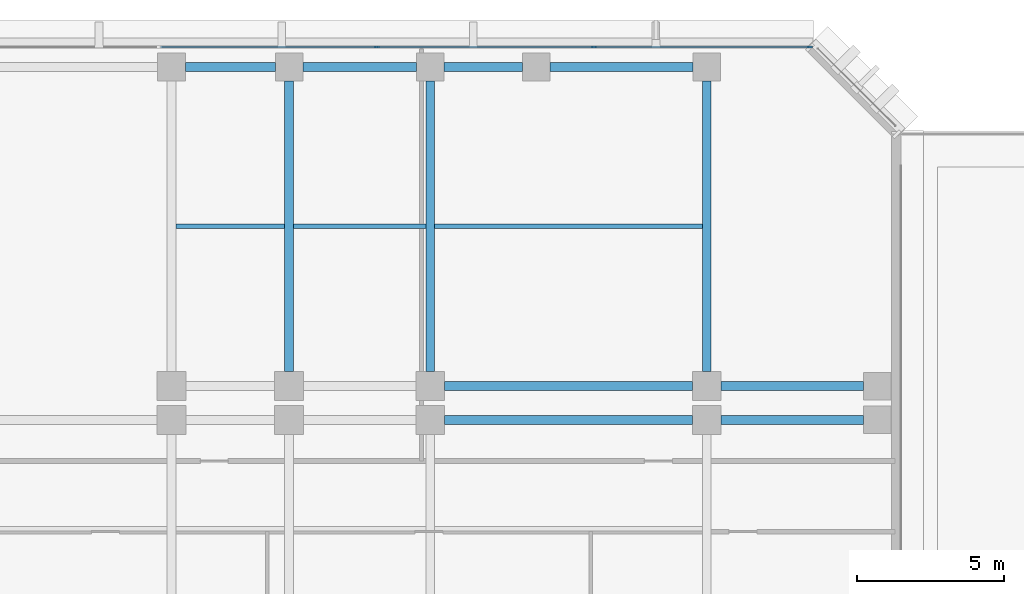
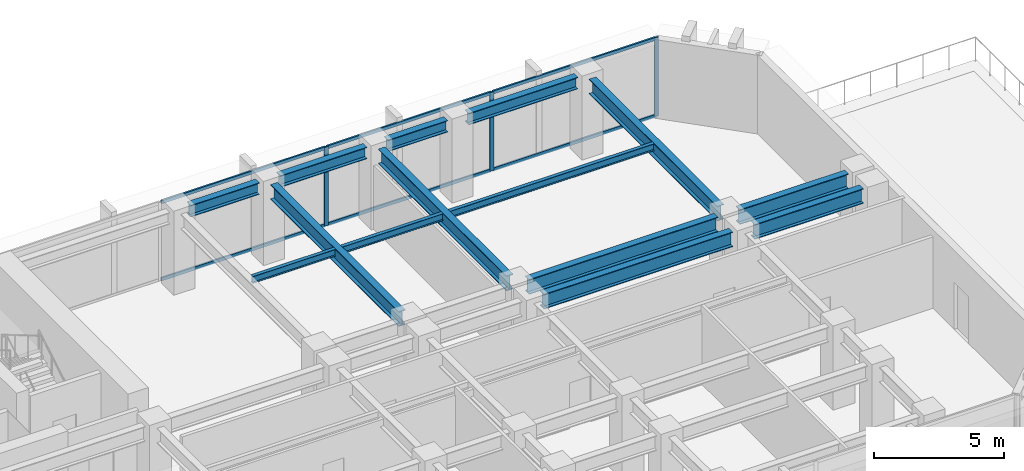
# One storey, part 5 of 13: 14 beams, 9 members, 1 element without a shape of its own.
"""IFC4 building model written with IfcOpenShell, lengths in metres."""

import ifcopenshell
import ifcopenshell.guid

model = None  # the IFC model being written
_history = None  # IfcOwnerHistory: only IFC2X3 demands one
_inside = {}  # id of a spatial element -> (the spatial element, [elements in it])
_under = {}  # id of a project, library or spatial element -> (it, [spatial elements below it])
_declared = {}  # id of a project -> (the project, [libraries it declares])
_typed = {}  # id of a type object -> (the type object, [elements of that type])
_made_of = {}  # id of a material, layer set ... -> (it, [elements and type objects made of it])


def new_model(schema):
    """Start an empty IFC model of exactly this schema.

    Asked for "IFC4X3", IfcOpenShell would pick the latest addendum, in which some entities
    have other attributes; the version numbers below select the first issue.
    IFC2X3 requires an IfcOwnerHistory on every rooted entity: one is made here for all.
    """
    global model, _history
    if schema == "IFC4X3":
        model = ifcopenshell.file(schema_version=(4, 3, 0, 0))
    else:
        model = ifcopenshell.file(schema=schema)
    _inside.clear()
    _under.clear()
    _declared.clear()
    _typed.clear()
    _made_of.clear()
    _history = None
    if model.schema == "IFC2X3":
        org = make("IfcOrganization", Name="unknown")
        user = make(
            "IfcPersonAndOrganization",
            ThePerson=make("IfcPerson", FamilyName="unknown"),
            TheOrganization=org,
        )
        app = make(
            "IfcApplication",
            ApplicationDeveloper=org,
            Version="unknown",
            ApplicationFullName="unknown",
            ApplicationIdentifier="unknown",
        )
        _history = make(
            "IfcOwnerHistory",
            OwningUser=user,
            OwningApplication=app,
            ChangeAction="ADDED",
            CreationDate=0,
        )
    return model


def make(cls, **values):
    """One entity of the class cls with the attributes given. An attribute that is None is left unset."""
    return model.create_entity(
        cls, **{name: value for name, value in values.items() if value is not None}
    )


def rooted(cls, **values):
    """An entity with a GlobalId (a new one), such as an element, a storey or a relation."""
    return make(cls, GlobalId=ifcopenshell.guid.new(), OwnerHistory=_history, **values)


def si_unit(unit_type, name, prefix=None):
    """IfcSIUnit, for example si_unit("LENGTHUNIT", "METRE", prefix="MILLI")."""
    return make("IfcSIUnit", UnitType=unit_type, Prefix=prefix, Name=name)


def assignment(units):
    """IfcUnitAssignment: the units of a project."""
    return None if units is None else make("IfcUnitAssignment", Units=units)


def point(xyz):
    """IfcCartesianPoint."""
    return None if xyz is None else make("IfcCartesianPoint", Coordinates=xyz)


def direction(xyz):
    """IfcDirection."""
    return None if xyz is None else make("IfcDirection", DirectionRatios=xyz)


def frame(location, z_axis=None, x_axis=None):
    """IfcAxis2Placement3D, a coordinate frame: its origin and axes. An axis left out is left unset."""
    return make(
        "IfcAxis2Placement3D",
        Location=point(location),
        Axis=direction(z_axis),
        RefDirection=direction(x_axis),
    )


def frame_2d(location, x_axis=None):
    """IfcAxis2Placement2D, a coordinate frame in the plane: its origin and x axis."""
    return make(
        "IfcAxis2Placement2D", Location=point(location), RefDirection=direction(x_axis)
    )


def origin():
    """The frame at (0, 0, 0) with its axes left unset."""
    return frame((0.0, 0.0, 0.0))


def origin_2d():
    """The frame at (0, 0) in the plane with its x axis left unset."""
    return frame_2d((0.0, 0.0))


def place(relative_to, where):
    """IfcLocalPlacement: puts the frame where relative to a parent placement (None: the world)."""
    return make(
        "IfcLocalPlacement", PlacementRelTo=relative_to, RelativePlacement=where
    )


def context(
    kind, dimensions, precision=None, world=None, true_north=None, identifier=None
):
    """IfcGeometricRepresentationContext, for example the 3D "Model" context."""
    return make(
        "IfcGeometricRepresentationContext",
        ContextIdentifier=identifier,
        ContextType=kind,
        CoordinateSpaceDimension=dimensions,
        Precision=precision,
        WorldCoordinateSystem=world,
        TrueNorth=true_north,
    )


def subcontext(parent, identifier, kind, view, scale=None):
    """IfcGeometricRepresentationSubContext, for example "Body" below "Model"."""
    return make(
        "IfcGeometricRepresentationSubContext",
        ContextIdentifier=identifier,
        ContextType=kind,
        ParentContext=parent,
        TargetScale=scale,
        TargetView=view,
    )


def project(units=None, contexts=None):
    """IfcProject with its units and contexts."""
    return rooted(
        "IfcProject",
        Name="project",
        RepresentationContexts=contexts,
        UnitsInContext=assignment(units),
    )


def spatial(cls, under=None, at=None, **own):
    """A site, building, storey or space (cls), placed at a placement, below another one or the project."""
    s = rooted(cls, ObjectPlacement=at, **own)
    if under is not None:
        _under.setdefault(under.id(), (under, []))[1].append(s)
    return s


def profile(cls, at=None, kind="AREA", **sizes):
    """A parametric profile (cls). Its sizes go by their IFC names, for example OverallWidth=200.0."""
    return make(cls, ProfileType=kind, Position=at, **sizes)


def rectangle(**sizes):
    """IfcRectangleProfileDef."""
    return profile("IfcRectangleProfileDef", **sizes)


def i_section(**sizes):
    """IfcIShapeProfileDef."""
    return profile("IfcIShapeProfileDef", **sizes)


def extrude(swept, where, along, depth):
    """IfcExtrudedAreaSolid: the profile swept, set in the frame where, extruded along a direction by depth."""
    return make(
        "IfcExtrudedAreaSolid",
        SweptArea=swept,
        Position=where,
        ExtrudedDirection=direction(along),
        Depth=depth,
    )


def shape(context_of_items, identifier, shape_type, items):
    """IfcShapeRepresentation: the items that make up one representation, for example the "Body"."""
    return make(
        "IfcShapeRepresentation",
        ContextOfItems=context_of_items,
        RepresentationIdentifier=identifier,
        RepresentationType=shape_type,
        Items=items,
    )


def material(Name=None, Category=None):
    """IfcMaterial."""
    return make("IfcMaterial", Name=Name, Category=Category)


def layer(
    of_material, thickness, ventilated=None, Name=None, Category=None, Priority=None
):
    """IfcMaterialLayer: one layer of a wall or slab, of a material (None: an air gap)."""
    return make(
        "IfcMaterialLayer",
        Material=of_material,
        LayerThickness=thickness,
        IsVentilated=ventilated,
        Name=Name,
        Category=Category,
        Priority=Priority,
    )


def layer_set(layers, Name=None):
    """IfcMaterialLayerSet."""
    return make("IfcMaterialLayerSet", MaterialLayers=layers, LayerSetName=Name)


def material_profile(
    of_material, cross_section, Name=None, Category=None, Priority=None
):
    """IfcMaterialProfile: a cross section and its material."""
    return make(
        "IfcMaterialProfile",
        Name=Name,
        Material=of_material,
        Profile=cross_section,
        Priority=Priority,
        Category=Category,
    )


def profile_set(profiles, Name=None, composite=None):
    """IfcMaterialProfileSet."""
    return make(
        "IfcMaterialProfileSet",
        Name=Name,
        MaterialProfiles=profiles,
        CompositeProfile=composite,
    )


def made_of(thing, what):
    """Note that an element or type object is made of a material, layer set ...; save() writes the relation."""
    if what is not None:
        _made_of.setdefault(what.id(), (what, []))[1].append(thing)
    return thing


def type_object(cls, material=None, **own):
    """A type object (cls), such as IfcWallType, which elements share."""
    return made_of(rooted(cls, **own), material)


def element(
    cls,
    number,
    at=None,
    inside=None,
    cuts=None,
    type_object=None,
    material=None,
    context=None,
    identifier="Body",
    shape_type=None,
    held_by="IfcProductDefinitionShape",
    body=None,
    shapes=None,
    **own,
):
    """One element of the class cls, such as IfcWall. Its Tag is "e" and its number.

    at: its placement. inside: the storey or other place that contains it. cuts: it is an
    opening in that element (IfcRelVoidsElement). A single representation is given by context,
    identifier, shape_type and body (its items); several are given by shapes. held_by: the class
    of the entity that holds the representations. save() writes the other relations.
    """
    e = rooted(cls, Tag="e%d" % number, ObjectPlacement=at, **own)
    if body is not None:
        shapes = [shape(context, identifier, shape_type, body)]
    if shapes is not None:
        e.Representation = make(held_by, Representations=shapes)
    if inside is not None:
        _inside.setdefault(inside.id(), (inside, []))[1].append(e)
    if cuts is not None:
        rooted(
            "IfcRelVoidsElement", RelatingBuildingElement=cuts, RelatedOpeningElement=e
        )
    if type_object is not None:
        _typed.setdefault(type_object.id(), (type_object, []))[1].append(e)
    return made_of(e, material)


def aggregate(whole, parts):
    """IfcRelAggregates: a whole, such as a stair, and the parts it consists of."""
    return rooted("IfcRelAggregates", RelatingObject=whole, RelatedObjects=parts)


def save(model, path):
    """Write the relations noted so far, then the file.

    IfcRelAggregates (storeys below a building ...), IfcRelContainedInSpatialStructure (elements
    in a storey), IfcRelDefinesByType, IfcRelAssociatesMaterial and IfcRelDeclares: one each for
    every whole, place, type object, material and project.
    """
    for whole, parts in _under.values():
        aggregate(whole, parts)
    for where, things in _inside.values():
        rooted(
            "IfcRelContainedInSpatialStructure",
            RelatedElements=things,
            RelatingStructure=where,
        )
    for kind, things in _typed.values():
        rooted("IfcRelDefinesByType", RelatedObjects=things, RelatingType=kind)
    for what, things in _made_of.values():
        rooted("IfcRelAssociatesMaterial", RelatedObjects=things, RelatingMaterial=what)
    for by, libraries in _declared.values():
        rooted("IfcRelDeclares", RelatingContext=by, RelatedDefinitions=libraries)
    model.write(path)


model = new_model("IFC4")

# Units and contexts
model_context = context("Model", 3, precision=1e-05, world=origin(), true_north=direction((0.0, 1.0)))
body_context = subcontext(model_context, "Body", "Model", "MODEL_VIEW")
ifc_project = project(units=[si_unit("LENGTHUNIT", "METRE"), si_unit("AREAUNIT", "SQUARE_METRE"), si_unit("VOLUMEUNIT", "CUBIC_METRE"), si_unit("PLANEANGLEUNIT", "RADIAN"), si_unit("MASSUNIT", "GRAM", prefix="KILO")], contexts=[model_context])

# Site, building, storey
site_placement = place(None, origin())
site = spatial("IfcSite", under=ifc_project, at=site_placement, CompositionType="ELEMENT")
building_placement = place(site_placement, origin())
building = spatial("IfcBuilding", under=site, at=building_placement, Name="Kefirva Bronze Tower", CompositionType="ELEMENT")
storey_placement = place(building_placement, frame((0.0, 0.0, 30.360107421875)))
storey = spatial("IfcBuildingStorey", under=building, at=storey_placement, Name="L06", CompositionType="ELEMENT", Elevation=30.360107421875)

# Curtain wall, members
ifc_material_1 = material(Name="Bronze anodised aluminium", Category="aluminium")
ifc_layer = layer(ifc_material_1, 0.199951171875, Name="Bronze anodised aluminium")
ifc_layer_set = layer_set([ifc_layer], Name="Bronze anodised aluminium")
curtain_wall_type = type_object("IfcCurtainWallType", Name="Unitised Bronze Ribbon Curtain Wall Zone 1", PredefinedType="USERDEFINED", material=ifc_layer_set)
curtain_wall_placement = place(storey_placement, origin())
curtain_wall = element("IfcCurtainWall", 1, at=curtain_wall_placement, inside=storey, type_object=curtain_wall_type, Name="L06 Curtain Wall 3", ObjectType="UNITISED CURTAIN WALL", PredefinedType="USERDEFINED")
ifc_material_profile_1 = material_profile(ifc_material_1, rectangle(XDim=0.074951171875, YDim=0.179931640625, at=origin_2d()), Name="ALU 75x180")
ifc_profile_set_1 = profile_set([ifc_material_profile_1], Name="Bronze anodised aluminium")
member_type_1 = type_object("IfcMemberType", Name="Bronze Mullion 75x180", PredefinedType="MULLION", material=ifc_profile_set_1)
member_1_placement = place(storey_placement, frame((52.907470703125, 45.8798828125, 0.0), z_axis=(0.0, 0.0, 1.0), x_axis=(0.0, -1.0, 0.0)))
member_1 = element("IfcMember", 2, at=member_1_placement, type_object=member_type_1, Name="CW-01 mullion 1", PredefinedType="MULLION", context=body_context, shape_type="SweptSolid", body=[
    extrude(rectangle(XDim=0.074951171875, YDim=0.179931640625, at=origin_2d()), origin(), (0.0, 0.0, 1.0), 3.7099609375),
])
member_2_placement = place(storey_placement, frame((45.56005859375, 45.8798828125, 0.0), z_axis=(0.0, 0.0, 1.0), x_axis=(0.0, -1.0, 0.0)))
member_2 = element("IfcMember", 3, at=member_2_placement, type_object=member_type_1, Name="CW-01 mullion 2", PredefinedType="MULLION", context=body_context, shape_type="SweptSolid", body=[
    extrude(rectangle(XDim=0.074951171875, YDim=0.179931640625, at=origin_2d()), origin(), (0.0, 0.0, 1.0), 3.7099609375),
])
member_3_placement = place(storey_placement, frame((38.175048828125, 45.8798828125, 0.0), z_axis=(0.0, 0.0, 1.0), x_axis=(0.0, -1.0, 0.0)))
member_3 = element("IfcMember", 4, at=member_3_placement, type_object=member_type_1, Name="CW-01 mullion 3", PredefinedType="MULLION", context=body_context, shape_type="SweptSolid", body=[
    extrude(rectangle(XDim=0.074951171875, YDim=0.179931640625, at=origin_2d()), origin(), (0.0, 0.0, 1.0), 3.7099609375),
])
ifc_material_profile_2 = material_profile(ifc_material_1, rectangle(XDim=0.074951171875, YDim=0.14990234375, at=origin_2d()), Name="ALU 75x150")
ifc_profile_set_2 = profile_set([ifc_material_profile_2], Name="Bronze anodised aluminium")
member_type_2 = type_object("IfcMemberType", Name="Bronze Transom 75x150", PredefinedType="USERDEFINED", material=ifc_profile_set_2)
member_4_placement = place(storey_placement, frame((52.8701171875, 45.8798828125, 0.037353515625), z_axis=(-1.0, 0.0, 0.0), x_axis=(0.0, -1.0, 0.0)))
member_4 = element("IfcMember", 5, at=member_4_placement, type_object=member_type_2, Name="CW-01 transom 1.1", ObjectType="TRANSOM", PredefinedType="USERDEFINED", context=body_context, shape_type="SweptSolid", body=[
    extrude(rectangle(XDim=0.074951171875, YDim=0.14990234375, at=origin_2d()), origin(), (0.0, 0.0, 1.0), 7.272705078125),
])
member_5_placement = place(storey_placement, frame((52.8701171875, 45.8798828125, 3.67236328125), z_axis=(-1.0, 0.0, 0.0), x_axis=(0.0, -1.0, 0.0)))
member_5 = element("IfcMember", 6, at=member_5_placement, type_object=member_type_2, Name="CW-01 transom 1.2", ObjectType="TRANSOM", PredefinedType="USERDEFINED", context=body_context, shape_type="SweptSolid", body=[
    extrude(rectangle(XDim=0.074951171875, YDim=0.14990234375, at=origin_2d()), origin(), (0.0, 0.0, 1.0), 7.272705078125),
])
member_6_placement = place(storey_placement, frame((45.5224609375, 45.8798828125, 0.037353515625), z_axis=(-1.0, 0.0, 0.0), x_axis=(0.0, -1.0, 0.0)))
member_6 = element("IfcMember", 7, at=member_6_placement, type_object=member_type_2, Name="CW-01 transom 2.1", ObjectType="TRANSOM", PredefinedType="USERDEFINED", context=body_context, shape_type="SweptSolid", body=[
    extrude(rectangle(XDim=0.074951171875, YDim=0.14990234375, at=origin_2d()), origin(), (0.0, 0.0, 1.0), 7.31005859375),
])
member_7_placement = place(storey_placement, frame((45.5224609375, 45.8798828125, 3.67236328125), z_axis=(-1.0, 0.0, 0.0), x_axis=(0.0, -1.0, 0.0)))
member_7 = element("IfcMember", 8, at=member_7_placement, type_object=member_type_2, Name="CW-01 transom 2.2", ObjectType="TRANSOM", PredefinedType="USERDEFINED", context=body_context, shape_type="SweptSolid", body=[
    extrude(rectangle(XDim=0.074951171875, YDim=0.14990234375, at=origin_2d()), origin(), (0.0, 0.0, 1.0), 7.31005859375),
])
member_8_placement = place(storey_placement, frame((38.137451171875, 45.8798828125, 0.037353515625), z_axis=(-1.0, 0.0, 0.0), x_axis=(0.0, -1.0, 0.0)))
member_8 = element("IfcMember", 9, at=member_8_placement, type_object=member_type_2, Name="CW-01 transom 3.1", ObjectType="TRANSOM", PredefinedType="USERDEFINED", context=body_context, shape_type="SweptSolid", body=[
    extrude(rectangle(XDim=0.074951171875, YDim=0.14990234375, at=origin_2d()), origin(), (0.0, 0.0, 1.0), 7.31005859375),
])
member_9_placement = place(storey_placement, frame((38.137451171875, 45.8798828125, 3.67236328125), z_axis=(-1.0, 0.0, 0.0), x_axis=(0.0, -1.0, 0.0)))
member_9 = element("IfcMember", 10, at=member_9_placement, type_object=member_type_2, Name="CW-01 transom 3.2", ObjectType="TRANSOM", PredefinedType="USERDEFINED", context=body_context, shape_type="SweptSolid", body=[
    extrude(rectangle(XDim=0.074951171875, YDim=0.14990234375, at=origin_2d()), origin(), (0.0, 0.0, 1.0), 7.31005859375),
])
aggregate(curtain_wall, [member_1, member_2, member_3, member_4, member_5, member_6, member_7, member_8, member_9])

# Beams
ifc_material_2 = material(Name="Steel S355", Category="steel")
ifc_material_profile_3 = material_profile(ifc_material_2, i_section(OverallWidth=0.159912109375, OverallDepth=0.330078125, WebThickness=0.007568359375, FlangeThickness=0.011474609375, at=origin_2d()), Name="IPE 330")
ifc_profile_set_3 = profile_set([ifc_material_profile_3], Name="Steel S355")
beam_type_1 = type_object("IfcBeamType", Name="Steel Floor Joist IPE 330", PredefinedType="JOIST", material=ifc_profile_set_3)
beam_1_placement = place(storey_placement, frame((31.35009765625, 39.784912109375, 3.544921875), z_axis=(1.0, 0.0, 0.0), x_axis=(0.0, 1.0, 0.0)))
element("IfcBeam", 11, at=beam_1_placement, inside=storey, type_object=beam_type_1, Name="L06 JST-L06-31-397", PredefinedType="JOIST", context=body_context, shape_type="SweptSolid", body=[
    extrude(i_section(OverallWidth=0.159912109375, OverallDepth=0.330078125, WebThickness=0.007568359375, FlangeThickness=0.011474609375, at=origin_2d()), origin(), (0.0, 0.0, 1.0), 3.699951171875),
])
beam_2_placement = place(storey_placement, frame((35.35009765625, 39.784912109375, 3.544921875), z_axis=(1.0, 0.0, 0.0), x_axis=(0.0, 1.0, 0.0)))
element("IfcBeam", 12, at=beam_2_placement, inside=storey, type_object=beam_type_1, Name="L06 JST-L06-35-397", PredefinedType="JOIST", context=body_context, shape_type="SweptSolid", body=[
    extrude(i_section(OverallWidth=0.159912109375, OverallDepth=0.330078125, WebThickness=0.007568359375, FlangeThickness=0.011474609375, at=origin_2d()), origin(), (0.0, 0.0, 1.0), 4.5),
])
beam_3_placement = place(storey_placement, frame((40.14990234375, 39.784912109375, 3.544921875), z_axis=(1.0, 0.0, 0.0), x_axis=(0.0, 1.0, 0.0)))
element("IfcBeam", 13, at=beam_3_placement, inside=storey, type_object=beam_type_1, Name="L06 JST-L06-40-397", PredefinedType="JOIST", context=body_context, shape_type="SweptSolid", body=[
    extrude(i_section(OverallWidth=0.159912109375, OverallDepth=0.330078125, WebThickness=0.007568359375, FlangeThickness=0.011474609375, at=origin_2d()), origin(), (0.0, 0.0, 1.0), 9.10009765625),
])
ifc_material_profile_4 = material_profile(ifc_material_2, i_section(OverallWidth=0.300048828125, OverallDepth=0.699951171875, WebThickness=0.01708984375, FlangeThickness=0.031982421875, at=origin_2d()), Name="HEB 700")
ifc_profile_set_4 = profile_set([ifc_material_profile_4], Name="Steel S355")
beam_type_2 = type_object("IfcBeamType", Name="Steel Girder HEB 700", PredefinedType="USERDEFINED", material=ifc_profile_set_4)
beam_4_placement = place(storey_placement, frame((40.489990234375, 33.199951171875, 3.35986328125), z_axis=(1.0, 0.0, 0.0), x_axis=(0.0, 1.0, 0.0)))
element("IfcBeam", 14, at=beam_4_placement, inside=storey, type_object=beam_type_2, Name="L06 BM-L06-EW-40-332", ObjectType="GIRDER", PredefinedType="USERDEFINED", context=body_context, shape_type="SweptSolid", body=[
    extrude(i_section(OverallWidth=0.300048828125, OverallDepth=0.699951171875, WebThickness=0.01708984375, FlangeThickness=0.031982421875, at=origin_2d()), origin(), (0.0, 0.0, 1.0), 8.419921875),
])
beam_5_placement = place(storey_placement, frame((49.889892578125, 33.199951171875, 3.35986328125), z_axis=(1.0, 0.0, 0.0), x_axis=(0.0, 1.0, 0.0)))
element("IfcBeam", 15, at=beam_5_placement, inside=storey, type_object=beam_type_2, Name="L06 BM-L06-EW-49-332", ObjectType="GIRDER", PredefinedType="USERDEFINED", context=body_context, shape_type="SweptSolid", body=[
    extrude(i_section(OverallWidth=0.300048828125, OverallDepth=0.699951171875, WebThickness=0.01708984375, FlangeThickness=0.031982421875, at=origin_2d()), origin(), (0.0, 0.0, 1.0), 4.840087890625),
])
beam_6_placement = place(storey_placement, frame((40.489990234375, 34.35009765625, 3.35986328125), z_axis=(1.0, 0.0, 0.0), x_axis=(0.0, 1.0, 0.0)))
element("IfcBeam", 16, at=beam_6_placement, inside=storey, type_object=beam_type_2, Name="L06 BM-L06-EW-40-344", ObjectType="GIRDER", PredefinedType="USERDEFINED", context=body_context, shape_type="SweptSolid", body=[
    extrude(i_section(OverallWidth=0.300048828125, OverallDepth=0.699951171875, WebThickness=0.01708984375, FlangeThickness=0.031982421875, at=origin_2d()), origin(), (0.0, 0.0, 1.0), 8.419921875),
])
beam_7_placement = place(storey_placement, frame((49.889892578125, 34.35009765625, 3.35986328125), z_axis=(1.0, 0.0, 0.0), x_axis=(0.0, 1.0, 0.0)))
element("IfcBeam", 17, at=beam_7_placement, inside=storey, type_object=beam_type_2, Name="L06 BM-L06-EW-49-344", ObjectType="GIRDER", PredefinedType="USERDEFINED", context=body_context, shape_type="SweptSolid", body=[
    extrude(i_section(OverallWidth=0.300048828125, OverallDepth=0.699951171875, WebThickness=0.01708984375, FlangeThickness=0.031982421875, at=origin_2d()), origin(), (0.0, 0.0, 1.0), 4.840087890625),
])
for number, where, z_axis, x_axis, name in (
    (18, (35.199951171875, 34.840087890625, 3.35986328125), (0.0, 1.0, 0.0), (-1.0, 0.0, 0.0), "L06 BM-L06-NS-352-34"),
    (19, (40.0, 34.840087890625, 3.35986328125), (0.0, 1.0, 0.0), (-1.0, 0.0, 0.0), "L06 BM-L06-NS-400-34"),
    (20, (49.39990234375, 34.840087890625, 3.35986328125), (0.0, 1.0, 0.0), (-1.0, 0.0, 0.0), "L06 BM-L06-NS-494-34"),
):
    element("IfcBeam", number, at=place(storey_placement, frame(where, z_axis=z_axis, x_axis=x_axis)), inside=storey, type_object=beam_type_2, Name=name, ObjectType="GIRDER", PredefinedType="USERDEFINED", context=body_context, shape_type="SweptSolid", body=[
        extrude(i_section(OverallWidth=0.300048828125, OverallDepth=0.699951171875, WebThickness=0.01708984375, FlangeThickness=0.031982421875, at=origin_2d()), origin(), (0.0, 0.0, 1.0), 9.889892578125),
    ])
ifc_material_profile_5 = material_profile(ifc_material_2, i_section(OverallWidth=0.300048828125, OverallDepth=0.550048828125, WebThickness=0.014892578125, FlangeThickness=0.029052734375, at=origin_2d()), Name="HEB 550")
ifc_profile_set_5 = profile_set([ifc_material_profile_5], Name="Steel S355")
beam_type_3 = type_object("IfcBeamType", Name="Steel Spandrel HEB 550 Ext", PredefinedType="SPANDREL", material=ifc_profile_set_5)
beam_8_placement = place(storey_placement, frame((31.669921875, 45.199951171875, 3.434814453125), z_axis=(1.0, 0.0, 0.0), x_axis=(0.0, 1.0, 0.0)))
element("IfcBeam", 21, at=beam_8_placement, inside=storey, type_object=beam_type_3, Name="L06 BM-L06-EW-31-452", PredefinedType="SPANDREL", context=body_context, shape_type="SweptSolid", body=[
    extrude(i_section(OverallWidth=0.300048828125, OverallDepth=0.550048828125, WebThickness=0.014892578125, FlangeThickness=0.029052734375, at=origin_2d()), origin(), (0.0, 0.0, 1.0), 3.06005859375),
])
beam_9_placement = place(storey_placement, frame((35.669921875, 45.199951171875, 3.434814453125), z_axis=(1.0, 0.0, 0.0), x_axis=(0.0, 1.0, 0.0)))
element("IfcBeam", 22, at=beam_9_placement, inside=storey, type_object=beam_type_3, Name="L06 BM-L06-EW-35-452", PredefinedType="SPANDREL", context=body_context, shape_type="SweptSolid", body=[
    extrude(i_section(OverallWidth=0.300048828125, OverallDepth=0.550048828125, WebThickness=0.014892578125, FlangeThickness=0.029052734375, at=origin_2d()), origin(), (0.0, 0.0, 1.0), 3.860107421875),
])
beam_10_placement = place(storey_placement, frame((40.469970703125, 45.199951171875, 3.434814453125), z_axis=(1.0, 0.0, 0.0), x_axis=(0.0, 1.0, 0.0)))
element("IfcBeam", 23, at=beam_10_placement, inside=storey, type_object=beam_type_3, Name="L06 BM-L06-EW-40-452", PredefinedType="SPANDREL", context=body_context, shape_type="SweptSolid", body=[
    extrude(i_section(OverallWidth=0.300048828125, OverallDepth=0.550048828125, WebThickness=0.014892578125, FlangeThickness=0.029052734375, at=origin_2d()), origin(), (0.0, 0.0, 1.0), 2.659912109375),
])
beam_11_placement = place(storey_placement, frame((44.070068359375, 45.199951171875, 3.434814453125), z_axis=(1.0, 0.0, 0.0), x_axis=(0.0, 1.0, 0.0)))
element("IfcBeam", 24, at=beam_11_placement, inside=storey, type_object=beam_type_3, Name="L06 BM-L06-EW-43-452", PredefinedType="SPANDREL", context=body_context, shape_type="SweptSolid", body=[
    extrude(i_section(OverallWidth=0.300048828125, OverallDepth=0.550048828125, WebThickness=0.014892578125, FlangeThickness=0.029052734375, at=origin_2d()), origin(), (0.0, 0.0, 1.0), 4.85986328125),
])

save(model, "model.ifc")
